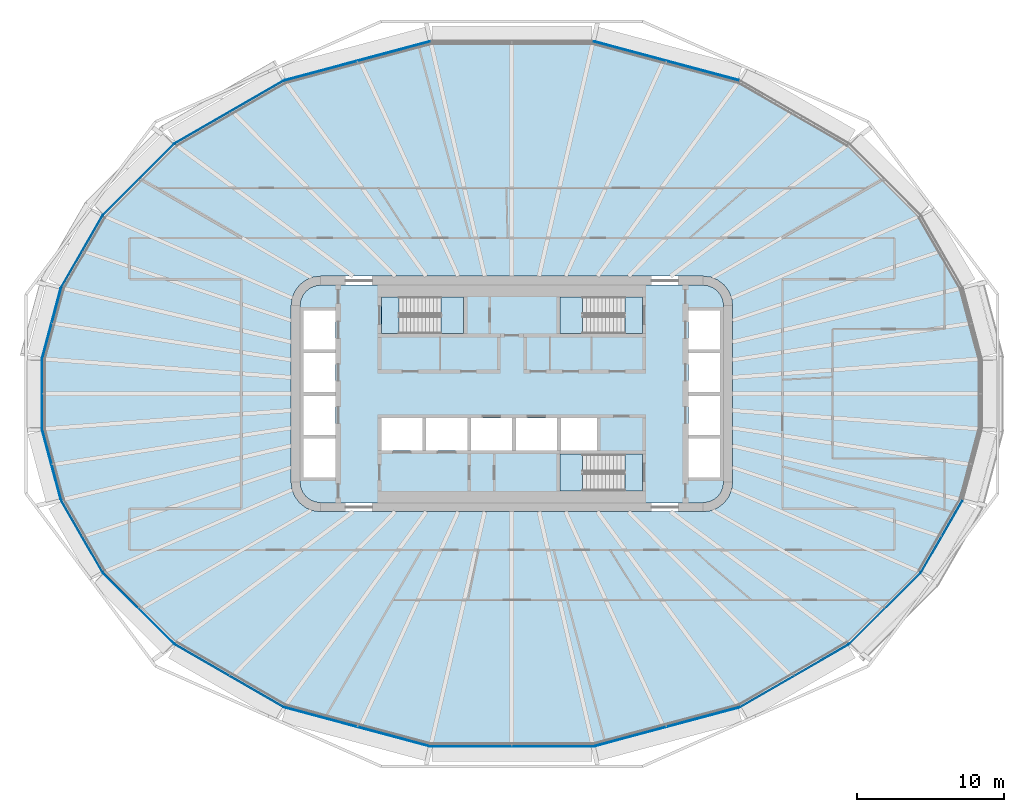
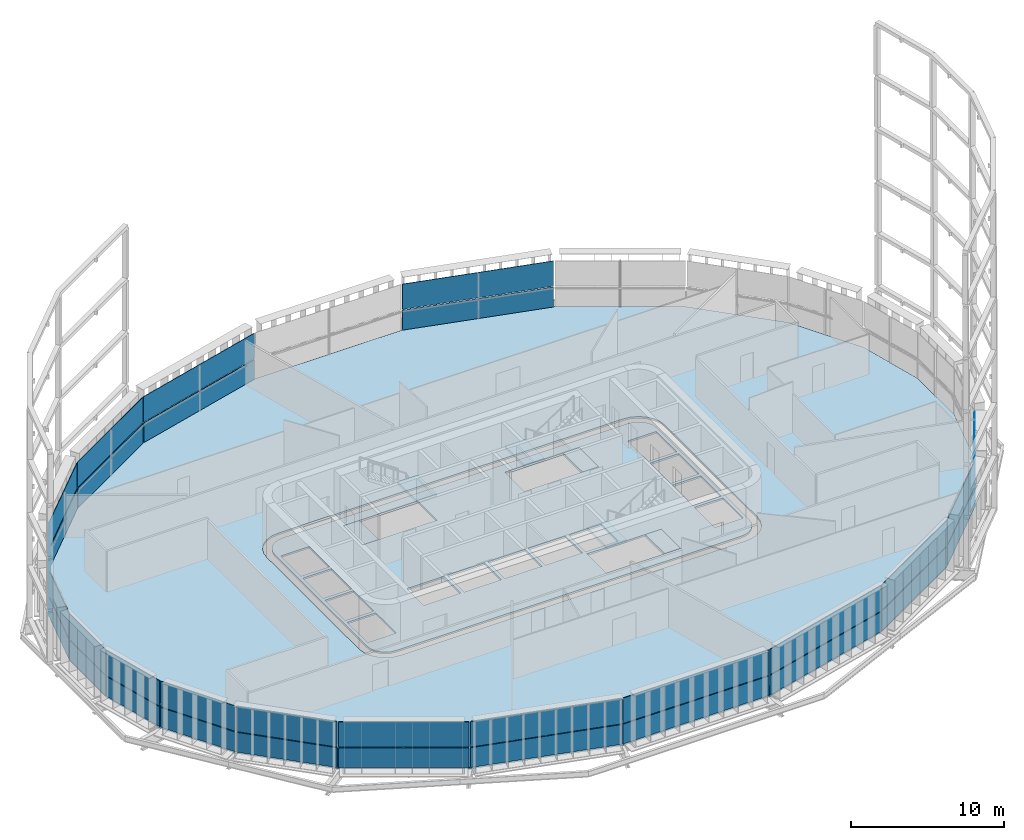
# One storey, part 13 of 26: 34 plates, 8 slabs, 20 elements without a shape of their own.
"""IFC4 building model written with IfcOpenShell, lengths in metres."""

from ifc_helpers import new_model, si_unit, direction, frame, origin, place, context, subcontext, project, spatial, polyline, outline, extrude, material, layer, layer_set, type_object, element, aggregate, save


model = new_model("IFC4")

# Units and contexts
model_context = context("Model", 3, precision=1e-05, world=origin(), true_north=direction((0.0, 1.0)))
body_context = subcontext(model_context, "Body", "Model", "MODEL_VIEW")
ifc_project = project(units=[si_unit("LENGTHUNIT", "METRE"), si_unit("AREAUNIT", "SQUARE_METRE"), si_unit("VOLUMEUNIT", "CUBIC_METRE"), si_unit("PLANEANGLEUNIT", "RADIAN"), si_unit("MASSUNIT", "GRAM", prefix="KILO")], contexts=[model_context])

# Site, building, storey
site_placement = place(None, origin())
site = spatial("IfcSite", under=ifc_project, at=site_placement, CompositionType="ELEMENT")
building_placement = place(site_placement, origin())
building = spatial("IfcBuilding", under=site, at=building_placement, Name="Sahrelin Media Tower", CompositionType="ELEMENT")
storey_placement = place(building_placement, frame((0.0, 0.0, 102.0)))
storey = spatial("IfcBuildingStorey", under=building, at=storey_placement, Name="L19", CompositionType="ELEMENT", Elevation=102.0)

# Slabs
ifc_material_1 = material(Name="Concrete C40/50", Category="concrete")
ifc_layer_1 = layer(ifc_material_1, 0.14990234375)
ifc_layer_set_1 = layer_set([ifc_layer_1], Name="Composite floor slab 150")
slab_type_1 = type_object("IfcSlabType", Name="Composite floor slab 150", PredefinedType="FLOOR", material=ifc_layer_set_1)
placement_1 = place(storey_placement, frame((0.0, 0.0, -0.14990234375)))
element("IfcSlab", 1, at=placement_1, inside=storey, type_object=slab_type_1, Name="Floor slab L19", PredefinedType="FLOOR", context=body_context, shape_type="SweptSolid", body=[
    extrude(outline(polyline([(31.92431640625, -2.384521484375), (31.92431640625, 2.384521484375), (30.63330078125, 7.20263671875), (27.79541015625, 12.117919921875), (22.919189453125, 16.994384765625), (15.475830078125, 21.291748046875), (5.5283203125, 23.95703125), (-5.5283203125, 23.95703125), (-15.475830078125, 21.291748046875), (-22.919189453125, 16.994384765625), (-27.79541015625, 12.117919921875), (-30.63330078125, 7.20263671875), (-31.92431640625, 2.384521484375), (-31.92431640625, -2.384521484375), (-30.63330078125, -7.20263671875), (-27.79541015625, -12.117919921875), (-22.919189453125, -16.994384765625), (-15.475830078125, -21.291748046875), (-5.5283203125, -23.95703125), (5.5283203125, -23.95703125), (15.475830078125, -21.291748046875), (22.919189453125, -16.994384765625), (27.79541015625, -12.117919921875), (30.63330078125, -7.20263671875), (31.92431640625, -2.384521484375)]), holes=[polyline([(14.931884765625, 6.517578125), (15.0, 6.0), (15.0, -6.0), (14.931884765625, -6.517578125), (14.732177734375, -7.0), (14.414306640625, -7.414306640625), (14.0, -7.732177734375), (13.517578125, -7.931884765625), (13.0, -8.0), (-13.0, -8.0), (-13.517578125, -7.931884765625), (-14.0, -7.732177734375), (-14.414306640625, -7.414306640625), (-14.732177734375, -7.0), (-14.931884765625, -6.517578125), (-15.0, -6.0), (-15.0, 6.0), (-14.931884765625, 6.517578125), (-14.732177734375, 7.0), (-14.414306640625, 7.414306640625), (-14.0, 7.732177734375), (-13.517578125, 7.931884765625), (-13.0, 8.0), (13.0, 8.0), (13.517578125, 7.931884765625), (14.0, 7.732177734375), (14.414306640625, 7.414306640625), (14.732177734375, 7.0), (14.931884765625, 6.517578125)])]), origin(), (0.0, 0.0, 1.0), 0.14990234375),
])
ifc_layer_2 = layer(ifc_material_1, 0.14990234375)
ifc_layer_set_2 = layer_set([ifc_layer_2], Name="Core floor slab 150")
slab_type_2 = type_object("IfcSlabType", Name="Core floor slab 150", PredefinedType="FLOOR", material=ifc_layer_set_2)
element("IfcSlab", 2, at=placement_1, inside=storey, type_object=slab_type_2, Name="Core floor", PredefinedType="FLOOR", context=body_context, shape_type="SweptSolid", body=[
    extrude(outline(polyline([(-14.347412109375, 6.361083984375), (-14.39990234375, 5.960693359375), (-14.39990234375, -5.960693359375), (-14.347412109375, -6.361083984375), (-14.2080078125, -6.697509765625), (-13.986328125, -6.986328125), (-13.697509765625, -7.2080078125), (-13.361083984375, -7.347412109375), (-12.960693359375, -7.39990234375), (12.960693359375, -7.39990234375), (13.361083984375, -7.347412109375), (13.697509765625, -7.2080078125), (13.986328125, -6.986328125), (14.2080078125, -6.697509765625), (14.347412109375, -6.361083984375), (14.39990234375, -5.960693359375), (14.39990234375, 5.960693359375), (14.347412109375, 6.361083984375), (14.2080078125, 6.697509765625), (13.986328125, 6.986328125), (13.697509765625, 7.2080078125), (13.361083984375, 7.347412109375), (12.960693359375, 7.39990234375), (-12.960693359375, 7.39990234375), (-13.361083984375, 7.347412109375), (-13.697509765625, 7.2080078125), (-13.986328125, 6.986328125), (-14.2080078125, 6.697509765625), (-14.347412109375, 6.361083984375)]), holes=[polyline([(-12.0, 3.02490234375), (-12.0, 5.675048828125), (-14.14990234375, 5.675048828125), (-14.14990234375, 3.02490234375), (-12.0, 3.02490234375)]), polyline([(-14.14990234375, 0.125), (-12.0, 0.125), (-12.0, 2.77490234375), (-14.14990234375, 2.77490234375), (-14.14990234375, 0.125)]), polyline([(-14.14990234375, -0.125), (-14.14990234375, -2.77490234375), (-12.0, -2.77490234375), (-12.0, -0.125), (-14.14990234375, -0.125)]), polyline([(-12.0, -3.02490234375), (-14.14990234375, -3.02490234375), (-14.14990234375, -5.675048828125), (-12.0, -5.675048828125), (-12.0, -3.02490234375)]), polyline([(14.14990234375, 3.02490234375), (14.14990234375, 5.675048828125), (12.0, 5.675048828125), (12.0, 3.02490234375), (14.14990234375, 3.02490234375)]), polyline([(12.0, 0.125), (14.14990234375, 0.125), (14.14990234375, 2.77490234375), (12.0, 2.77490234375), (12.0, 0.125)]), polyline([(12.0, -0.125), (12.0, -2.77490234375), (14.14990234375, -2.77490234375), (14.14990234375, -0.125), (12.0, -0.125)]), polyline([(14.14990234375, -3.02490234375), (12.0, -3.02490234375), (12.0, -5.675048828125), (14.14990234375, -5.675048828125), (14.14990234375, -3.02490234375)]), polyline([(-6.074951171875, -3.85009765625), (-6.074951171875, -1.64990234375), (-8.875, -1.64990234375), (-8.875, -3.85009765625), (-6.074951171875, -3.85009765625)]), polyline([(-5.824951171875, -3.85009765625), (-3.02490234375, -3.85009765625), (-3.02490234375, -1.64990234375), (-5.824951171875, -1.64990234375), (-5.824951171875, -3.85009765625)]), polyline([(-2.77490234375, -1.64990234375), (-2.77490234375, -3.85009765625), (0.02490234375, -3.85009765625), (0.02490234375, -1.64990234375), (-2.77490234375, -1.64990234375)]), polyline([(3.074951171875, -1.64990234375), (0.27490234375, -1.64990234375), (0.27490234375, -3.85009765625), (3.074951171875, -3.85009765625), (3.074951171875, -1.64990234375)]), polyline([(5.77490234375, -3.85009765625), (5.77490234375, -1.64990234375), (3.324951171875, -1.64990234375), (3.324951171875, -3.85009765625), (5.77490234375, -3.85009765625)]), polyline([(-8.875, 6.60009765625), (-8.875, 4.10009765625), (-3.27490234375, 4.10009765625), (-3.27490234375, 6.60009765625), (-8.875, 6.60009765625)]), polyline([(3.27490234375, 4.10009765625), (8.875, 4.10009765625), (8.875, 6.60009765625), (3.27490234375, 6.60009765625), (3.27490234375, 4.10009765625)]), polyline([(3.27490234375, -4.10009765625), (3.27490234375, -6.60009765625), (8.875, -6.60009765625), (8.875, -4.10009765625), (3.27490234375, -4.10009765625)])]), origin(), (0.0, 0.0, 1.0), 0.14990234375),
])

# Curtain wall, plate
ifc_material_2 = material(Name="Champagne anodised aluminium 6063-T6", Category="aluminium")
ifc_layer_3 = layer(ifc_material_2, 0.14990234375)
ifc_layer_set_3 = layer_set([ifc_layer_3], Name="Tower ribbon curtain wall")
curtain_wall_type = type_object("IfcCurtainWallType", Name="Tower ribbon curtain wall", PredefinedType="NOTDEFINED", material=ifc_layer_set_3)
curtain_wall_1_placement = place(storey_placement, frame((10.507080078125, 22.643798828125, 0.0), z_axis=(0.0, 0.0, 1.0), x_axis=(1.0, 0.0, 0.0)))
curtain_wall_1 = element("IfcCurtainWall", 3, at=curtain_wall_1_placement, inside=storey, type_object=curtain_wall_type, Name="L19:CW:L19-05", PredefinedType="NOTDEFINED")
ifc_material_3 = material(Name="Clear low-iron glazing", Category="glass")
ifc_layer_4 = layer(ifc_material_3, 0.0400390625)
ifc_layer_set_4 = layer_set([ifc_layer_4], Name="Glazing panel 40 mm CW1")
plate_type_1 = type_object("IfcPlateType", Name="Glazing panel 40 mm CW1", PredefinedType="CURTAIN_PANEL", material=ifc_layer_set_4)
plate_1_placement = place(storey_placement, frame((15.4404296875, 21.342529296875, 1.6298828125), z_axis=(0.258816614048, 0.965926477685, 0.0), x_axis=(-0.965926477685, 0.258816614048, 0.0)))
plate_1 = element("IfcPlate", 4, at=plate_1_placement, type_object=plate_type_1, Name="L19:CWP2:L19-05", PredefinedType="CURTAIN_PANEL", context=body_context, shape_type="SweptSolid", body=[
    extrude(outline(polyline([(0.0, 0.0), (10.20361328125, 0.0), (10.20361328125, 2.018798828125), (0.0, 2.018798828125), (0.0, 0.0)])), origin(), (0.0, 0.0, -1.0), 0.0400390625),
])

curtain_wall_2_placement = place(storey_placement, frame((-10.50732421875, 22.643798828125, 0.0), z_axis=(0.0, 0.0, 1.0), x_axis=(1.0, 0.0, 0.0)))
curtain_wall_2 = element("IfcCurtainWall", 5, at=curtain_wall_2_placement, inside=storey, type_object=curtain_wall_type, Name="L19:CW:L19-07", PredefinedType="NOTDEFINED")
plate_2_placement = place(storey_placement, frame((-5.58447265625, 23.9833984375, 1.6298828125), z_axis=(-0.258816614048, 0.965926477685, 0.0), x_axis=(-0.965926477685, -0.258816614048, 0.0)))
plate_2 = element("IfcPlate", 6, at=plate_2_placement, type_object=plate_type_1, Name="L19:CWP2:L19-07", PredefinedType="CURTAIN_PANEL", context=body_context, shape_type="SweptSolid", body=[
    extrude(outline(polyline([(0.0, 0.0), (10.20361328125, 0.0), (10.20361328125, 2.018798828125), (0.0, 2.018798828125), (0.0, 0.0)])), origin(), (0.0, 0.0, -1.0), 0.0400390625),
])

curtain_wall_3_placement = place(storey_placement, frame((-19.20751953125, 19.160400390625, 0.0), z_axis=(0.0, 0.0, 1.0), x_axis=(1.0, 0.0, 0.0)))
curtain_wall_3 = element("IfcCurtainWall", 7, at=curtain_wall_3_placement, inside=storey, type_object=curtain_wall_type, Name="L19:CW:L19-08", PredefinedType="NOTDEFINED")
plate_3_placement = place(storey_placement, frame((-15.536865234375, 21.302490234375, 1.6298828125), z_axis=(-0.499994284652, 0.866028703517, 0.0), x_axis=(-0.866028703517, -0.499994284652, 0.0)))
plate_3 = element("IfcPlate", 8, at=plate_3_placement, type_object=plate_type_1, Name="L19:CWP2:L19-08", PredefinedType="CURTAIN_PANEL", context=body_context, shape_type="SweptSolid", body=[
    extrude(outline(polyline([(0.0, 0.0), (8.5, 0.0), (8.5, 2.018798828125), (0.0, 2.018798828125), (0.0, 0.0)])), origin(), (0.0, 0.0, -1.0), 0.0400390625),
])

curtain_wall_4_placement = place(storey_placement, frame((-25.371337890625, 14.5703125, 0.0), z_axis=(0.0, 0.0, 1.0), x_axis=(1.0, 0.0, 0.0)))
curtain_wall_4 = element("IfcCurtainWall", 9, at=curtain_wall_4_placement, inside=storey, type_object=curtain_wall_type, Name="L19:CW:L19-09", PredefinedType="NOTDEFINED")
plate_4_placement = place(storey_placement, frame((-22.98095703125, 16.989013671875, 1.6298828125), z_axis=(-0.707106781187, 0.707106781187, 0.0), x_axis=(-0.707106781187, -0.707106781187, 0.0)))
plate_4 = element("IfcPlate", 10, at=plate_4_placement, type_object=plate_type_1, Name="L19:CWP2:L19-09", PredefinedType="CURTAIN_PANEL", context=body_context, shape_type="SweptSolid", body=[
    extrude(outline(polyline([(0.0, 0.0), (6.801513671875, 0.0), (6.801513671875, 2.018798828125), (0.0, 2.018798828125), (0.0, 0.0)])), origin(), (0.0, 0.0, -1.0), 0.0400390625),
])

curtain_wall_5_placement = place(storey_placement, frame((-29.231689453125, 9.67041015625, 0.0), z_axis=(0.0, 0.0, 1.0), x_axis=(1.0, 0.0, 0.0)))
curtain_wall_5 = element("IfcCurtainWall", 11, at=curtain_wall_5_placement, inside=storey, type_object=curtain_wall_type, Name="L19:CW:L19-10", PredefinedType="NOTDEFINED")
plate_5_placement = place(storey_placement, frame((-27.853759765625, 12.096923828125, 1.6298828125), z_axis=(-0.866021677438, 0.500006454166, 0.0), x_axis=(-0.500006454166, -0.866021677438, 0.0)))
plate_5 = element("IfcPlate", 12, at=plate_5_placement, type_object=plate_type_1, Name="L19:CWP2:L19-10", PredefinedType="CURTAIN_PANEL", context=body_context, shape_type="SweptSolid", body=[
    extrude(outline(polyline([(0.0, 0.0), (5.5810546875, 0.0), (5.5810546875, 2.018798828125), (0.0, 2.018798828125), (0.0, 0.0)])), origin(), (0.0, 0.0, -1.0), 0.0400390625),
])

curtain_wall_6_placement = place(storey_placement, frame((-31.298095703125, 4.798828125, 0.0), z_axis=(0.0, 0.0, 1.0), x_axis=(1.0, 0.0, 0.0)))
curtain_wall_6 = element("IfcCurtainWall", 13, at=curtain_wall_6_placement, inside=storey, type_object=curtain_wall_type, Name="L19:CW:L19-11", PredefinedType="NOTDEFINED")
plate_6_placement = place(storey_placement, frame((-30.684326171875, 7.167236328125, 1.6298828125), z_axis=(-0.965932017326, 0.258795938733, 0.0), x_axis=(-0.258795938733, -0.965932017326, 0.0)))
plate_6 = element("IfcPlate", 14, at=plate_6_placement, type_object=plate_type_1, Name="L19:CWP2:L19-11", PredefinedType="CURTAIN_PANEL", context=body_context, shape_type="SweptSolid", body=[
    extrude(outline(polyline([(0.0, 0.0), (4.893310546875, 0.0), (4.893310546875, 2.018798828125), (0.0, 2.018798828125), (0.0, 0.0)])), origin(), (0.0, 0.0, -1.0), 0.0400390625),
])

curtain_wall_7_placement = place(storey_placement, frame((-31.9443359375, 0.0, 0.0), z_axis=(0.0, 0.0, 1.0), x_axis=(1.0, 0.0, 0.0)))
curtain_wall_7 = element("IfcCurtainWall", 15, at=curtain_wall_7_placement, inside=storey, type_object=curtain_wall_type, Name="L19:CW:L19-12", PredefinedType="NOTDEFINED")
plate_7_placement = place(storey_placement, frame((-31.96435546875, 2.337158203125, 1.6298828125), z_axis=(-1.0, 0.0, 0.0), x_axis=(0.0, -1.0, 0.0)))
plate_7 = element("IfcPlate", 16, at=plate_7_placement, type_object=plate_type_1, Name="L19:CWP2:L19-12", PredefinedType="CURTAIN_PANEL", context=body_context, shape_type="SweptSolid", body=[
    extrude(outline(polyline([(0.0, 0.0), (4.67431640625, 0.0), (4.67431640625, 2.018798828125), (0.0, 2.018798828125), (0.0, 0.0)])), origin(), (0.0, 0.0, -1.0), 0.0400390625),
])

curtain_wall_8_placement = place(storey_placement, frame((-31.298095703125, -4.798828125, 0.0), z_axis=(0.0, 0.0, 1.0), x_axis=(1.0, 0.0, 0.0)))
curtain_wall_8 = element("IfcCurtainWall", 17, at=curtain_wall_8_placement, inside=storey, type_object=curtain_wall_type, Name="L19:CW:L19-13", PredefinedType="NOTDEFINED")
plate_8_placement = place(storey_placement, frame((-31.95068359375, -2.440673828125, 1.6298828125), z_axis=(-0.965932017326, -0.258795938733, 0.0), x_axis=(0.258795938733, -0.965932017326, 0.0)))
plate_8 = element("IfcPlate", 18, at=plate_8_placement, type_object=plate_type_1, Name="L19:CWP2:L19-13", PredefinedType="CURTAIN_PANEL", context=body_context, shape_type="SweptSolid", body=[
    extrude(outline(polyline([(0.0, 0.0), (4.893310546875, 0.0), (4.893310546875, 2.018798828125), (0.0, 2.018798828125), (0.0, 0.0)])), origin(), (0.0, 0.0, -1.0), 0.0400390625),
])

curtain_wall_9_placement = place(storey_placement, frame((-29.231689453125, -9.67041015625, 0.0), z_axis=(0.0, 0.0, 1.0), x_axis=(1.0, 0.0, 0.0)))
curtain_wall_9 = element("IfcCurtainWall", 19, at=curtain_wall_9_placement, inside=storey, type_object=curtain_wall_type, Name="L19:CW:L19-14", PredefinedType="NOTDEFINED")
plate_9_placement = place(storey_placement, frame((-30.644287109375, -7.263671875, 1.6298828125), z_axis=(-0.866021677438, -0.500006454166, 0.0), x_axis=(0.500006454166, -0.866021677438, 0.0)))
plate_9 = element("IfcPlate", 20, at=plate_9_placement, type_object=plate_type_1, Name="L19:CWP2:L19-14", PredefinedType="CURTAIN_PANEL", context=body_context, shape_type="SweptSolid", body=[
    extrude(outline(polyline([(0.0, 0.0), (5.5810546875, 0.0), (5.5810546875, 2.018798828125), (0.0, 2.018798828125), (0.0, 0.0)])), origin(), (0.0, 0.0, -1.0), 0.0400390625),
])

curtain_wall_10_placement = place(storey_placement, frame((-25.371337890625, -14.5703125, 0.0), z_axis=(0.0, 0.0, 1.0), x_axis=(1.0, 0.0, 0.0)))
curtain_wall_10 = element("IfcCurtainWall", 21, at=curtain_wall_10_placement, inside=storey, type_object=curtain_wall_type, Name="L19:CW:L19-15", PredefinedType="NOTDEFINED")
plate_10_placement = place(storey_placement, frame((-27.790283203125, -12.1796875, 1.6298828125), z_axis=(-0.707106781187, -0.707106781187, 0.0), x_axis=(0.707106781187, -0.707106781187, 0.0)))
plate_10 = element("IfcPlate", 22, at=plate_10_placement, type_object=plate_type_1, Name="L19:CWP2:L19-15", PredefinedType="CURTAIN_PANEL", context=body_context, shape_type="SweptSolid", body=[
    extrude(outline(polyline([(0.0, 0.0), (6.801513671875, 0.0), (6.801513671875, 2.018798828125), (0.0, 2.018798828125), (0.0, 0.0)])), origin(), (0.0, 0.0, -1.0), 0.0400390625),
])

curtain_wall_11_placement = place(storey_placement, frame((-19.20751953125, -19.160400390625, 0.0), z_axis=(0.0, 0.0, 1.0), x_axis=(1.0, 0.0, 0.0)))
curtain_wall_11 = element("IfcCurtainWall", 23, at=curtain_wall_11_placement, inside=storey, type_object=curtain_wall_type, Name="L19:CW:L19-16", PredefinedType="NOTDEFINED")
plate_11_placement = place(storey_placement, frame((-22.898193359375, -17.052490234375, 1.6298828125), z_axis=(-0.499994284652, -0.866028703517, 0.0), x_axis=(0.866028703517, -0.499994284652, 0.0)))
plate_11 = element("IfcPlate", 24, at=plate_11_placement, type_object=plate_type_1, Name="L19:CWP2:L19-16", PredefinedType="CURTAIN_PANEL", context=body_context, shape_type="SweptSolid", body=[
    extrude(outline(polyline([(0.0, 0.0), (8.5, 0.0), (8.5, 2.018798828125), (0.0, 2.018798828125), (0.0, 0.0)])), origin(), (0.0, 0.0, -1.0), 0.0400390625),
])

curtain_wall_12_placement = place(storey_placement, frame((-10.507080078125, -22.643798828125, 0.0), z_axis=(0.0, 0.0, 1.0), x_axis=(1.0, 0.0, 0.0)))
curtain_wall_12 = element("IfcCurtainWall", 25, at=curtain_wall_12_placement, inside=storey, type_object=curtain_wall_type, Name="L19:CW:L19-17", PredefinedType="NOTDEFINED")
plate_12_placement = place(storey_placement, frame((-15.4404296875, -21.342529296875, 1.6298828125), z_axis=(-0.258816614048, -0.965926477685, 0.0), x_axis=(0.965926477685, -0.258816614048, 0.0)))
plate_12 = element("IfcPlate", 26, at=plate_12_placement, type_object=plate_type_1, Name="L19:CWP2:L19-17", PredefinedType="CURTAIN_PANEL", context=body_context, shape_type="SweptSolid", body=[
    extrude(outline(polyline([(0.0, 0.0), (10.20361328125, 0.0), (10.20361328125, 2.018798828125), (0.0, 2.018798828125), (0.0, 0.0)])), origin(), (0.0, 0.0, -1.0), 0.0400390625),
])

curtain_wall_13_placement = place(storey_placement, frame((0.0, -23.97705078125, 0.0), z_axis=(0.0, 0.0, 1.0), x_axis=(1.0, 0.0, 0.0)))
curtain_wall_13 = element("IfcCurtainWall", 27, at=curtain_wall_13_placement, inside=storey, type_object=curtain_wall_type, Name="L19:CW:L19-18", PredefinedType="NOTDEFINED")
plate_13_placement = place(storey_placement, frame((-5.48095703125, -23.9970703125, 1.6298828125), z_axis=(0.0, -1.0, 0.0), x_axis=(1.0, 0.0, 0.0)))
plate_13 = element("IfcPlate", 28, at=plate_13_placement, type_object=plate_type_1, Name="L19:CWP2:L19-18", PredefinedType="CURTAIN_PANEL", context=body_context, shape_type="SweptSolid", body=[
    extrude(outline(polyline([(0.0, 0.0), (10.9619140625, 0.0), (10.9619140625, 2.018798828125), (0.0, 2.018798828125), (0.0, 0.0)])), origin(), (0.0, 0.0, -1.0), 0.0400390625),
])

curtain_wall_14_placement = place(storey_placement, frame((10.50732421875, -22.643798828125, 0.0), z_axis=(0.0, 0.0, 1.0), x_axis=(1.0, 0.0, 0.0)))
curtain_wall_14 = element("IfcCurtainWall", 29, at=curtain_wall_14_placement, inside=storey, type_object=curtain_wall_type, Name="L19:CW:L19-19", PredefinedType="NOTDEFINED")
plate_14_placement = place(storey_placement, frame((5.58447265625, -23.9833984375, 1.6298828125), z_axis=(0.258816614048, -0.965926477685, 0.0), x_axis=(0.965926477685, 0.258816614048, 0.0)))
plate_14 = element("IfcPlate", 30, at=plate_14_placement, type_object=plate_type_1, Name="L19:CWP2:L19-19", PredefinedType="CURTAIN_PANEL", context=body_context, shape_type="SweptSolid", body=[
    extrude(outline(polyline([(0.0, 0.0), (10.20361328125, 0.0), (10.20361328125, 2.018798828125), (0.0, 2.018798828125), (0.0, 0.0)])), origin(), (0.0, 0.0, -1.0), 0.0400390625),
])

curtain_wall_15_placement = place(storey_placement, frame((19.20751953125, -19.160400390625, 0.0), z_axis=(0.0, 0.0, 1.0), x_axis=(1.0, 0.0, 0.0)))
curtain_wall_15 = element("IfcCurtainWall", 31, at=curtain_wall_15_placement, inside=storey, type_object=curtain_wall_type, Name="L19:CW:L19-20", PredefinedType="NOTDEFINED")
plate_15_placement = place(storey_placement, frame((15.536865234375, -21.302490234375, 1.6298828125), z_axis=(0.499994284652, -0.866028703517, 0.0), x_axis=(0.866028703517, 0.499994284652, 0.0)))
plate_15 = element("IfcPlate", 32, at=plate_15_placement, type_object=plate_type_1, Name="L19:CWP2:L19-20", PredefinedType="CURTAIN_PANEL", context=body_context, shape_type="SweptSolid", body=[
    extrude(outline(polyline([(0.0, 0.0), (8.5, 0.0), (8.5, 2.018798828125), (0.0, 2.018798828125), (0.0, 0.0)])), origin(), (0.0, 0.0, -1.0), 0.0400390625),
])

curtain_wall_16_placement = place(storey_placement, frame((25.371337890625, -14.5703125, 0.0), z_axis=(0.0, 0.0, 1.0), x_axis=(1.0, 0.0, 0.0)))
curtain_wall_16 = element("IfcCurtainWall", 33, at=curtain_wall_16_placement, inside=storey, type_object=curtain_wall_type, Name="L19:CW:L19-21", PredefinedType="NOTDEFINED")
plate_16_placement = place(storey_placement, frame((22.98095703125, -16.989013671875, 1.6298828125), z_axis=(0.707106781187, -0.707106781187, 0.0), x_axis=(0.707106781187, 0.707106781187, 0.0)))
plate_16 = element("IfcPlate", 34, at=plate_16_placement, type_object=plate_type_1, Name="L19:CWP2:L19-21", PredefinedType="CURTAIN_PANEL", context=body_context, shape_type="SweptSolid", body=[
    extrude(outline(polyline([(0.0, 0.0), (6.801513671875, 0.0), (6.801513671875, 2.018798828125), (0.0, 2.018798828125), (0.0, 0.0)])), origin(), (0.0, 0.0, -1.0), 0.0400390625),
])

curtain_wall_17_placement = place(storey_placement, frame((29.231689453125, -9.67041015625, 0.0), z_axis=(0.0, 0.0, 1.0), x_axis=(1.0, 0.0, 0.0)))
curtain_wall_17 = element("IfcCurtainWall", 35, at=curtain_wall_17_placement, inside=storey, type_object=curtain_wall_type, Name="L19:CW:L19-22", PredefinedType="NOTDEFINED")
plate_17_placement = place(storey_placement, frame((27.853759765625, -12.096923828125, 1.6298828125), z_axis=(0.866021677438, -0.500006454166, 0.0), x_axis=(0.500006454166, 0.866021677438, 0.0)))
plate_17 = element("IfcPlate", 36, at=plate_17_placement, type_object=plate_type_1, Name="L19:CWP2:L19-22", PredefinedType="CURTAIN_PANEL", context=body_context, shape_type="SweptSolid", body=[
    extrude(outline(polyline([(0.0, 0.0), (5.5810546875, 0.0), (5.5810546875, 2.018798828125), (0.0, 2.018798828125), (0.0, 0.0)])), origin(), (0.0, 0.0, -1.0), 0.0400390625),
])

# Plate
ifc_material_4 = material(Name="Insulated spandrel panel")
ifc_layer_5 = layer(ifc_material_4, 0.06005859375)
ifc_layer_set_5 = layer_set([ifc_layer_5], Name="Spandrel panel 60 mm CW1")
plate_type_2 = type_object("IfcPlateType", Name="Spandrel panel 60 mm CW1", PredefinedType="SHEET", material=ifc_layer_set_5)
plate_18_placement = place(storey_placement, frame((15.4404296875, 21.342529296875, 0.0), z_axis=(0.258816614048, 0.965926477685, 0.0), x_axis=(-0.965926477685, 0.258816614048, 0.0)))
plate_18 = element("IfcPlate", 37, at=plate_18_placement, type_object=plate_type_2, Name="L19:CWP1:L19-05", PredefinedType="SHEET", context=body_context, shape_type="SweptSolid", body=[
    extrude(outline(polyline([(0.0, 0.0), (10.20361328125, 0.0), (10.20361328125, 1.570068359375), (0.0, 1.570068359375), (0.0, 0.0)])), origin(), (0.0, 0.0, -1.0), 0.06005859375),
])

aggregate(curtain_wall_1, [plate_18, plate_1])

plate_19_placement = place(storey_placement, frame((-5.58447265625, 23.9833984375, 0.0), z_axis=(-0.258816614048, 0.965926477685, 0.0), x_axis=(-0.965926477685, -0.258816614048, 0.0)))
plate_19 = element("IfcPlate", 38, at=plate_19_placement, type_object=plate_type_2, Name="L19:CWP1:L19-07", PredefinedType="SHEET", context=body_context, shape_type="SweptSolid", body=[
    extrude(outline(polyline([(0.0, 0.0), (10.20361328125, 0.0), (10.20361328125, 1.570068359375), (0.0, 1.570068359375), (0.0, 0.0)])), origin(), (0.0, 0.0, -1.0), 0.06005859375),
])

aggregate(curtain_wall_2, [plate_19, plate_2])

plate_20_placement = place(storey_placement, frame((-15.536865234375, 21.302490234375, 0.0), z_axis=(-0.499994284652, 0.866028703517, 0.0), x_axis=(-0.866028703517, -0.499994284652, 0.0)))
plate_20 = element("IfcPlate", 39, at=plate_20_placement, type_object=plate_type_2, Name="L19:CWP1:L19-08", PredefinedType="SHEET", context=body_context, shape_type="SweptSolid", body=[
    extrude(outline(polyline([(0.0, 0.0), (8.5, 0.0), (8.5, 1.570068359375), (0.0, 1.570068359375), (0.0, 0.0)])), origin(), (0.0, 0.0, -1.0), 0.06005859375),
])

aggregate(curtain_wall_3, [plate_20, plate_3])

plate_21_placement = place(storey_placement, frame((-22.98095703125, 16.989013671875, 0.0), z_axis=(-0.707106781187, 0.707106781187, 0.0), x_axis=(-0.707106781187, -0.707106781187, 0.0)))
plate_21 = element("IfcPlate", 40, at=plate_21_placement, type_object=plate_type_2, Name="L19:CWP1:L19-09", PredefinedType="SHEET", context=body_context, shape_type="SweptSolid", body=[
    extrude(outline(polyline([(0.0, 0.0), (6.801513671875, 0.0), (6.801513671875, 1.570068359375), (0.0, 1.570068359375), (0.0, 0.0)])), origin(), (0.0, 0.0, -1.0), 0.06005859375),
])

aggregate(curtain_wall_4, [plate_21, plate_4])

plate_22_placement = place(storey_placement, frame((-27.853759765625, 12.096923828125, 0.0), z_axis=(-0.866021677438, 0.500006454166, 0.0), x_axis=(-0.500006454166, -0.866021677438, 0.0)))
plate_22 = element("IfcPlate", 41, at=plate_22_placement, type_object=plate_type_2, Name="L19:CWP1:L19-10", PredefinedType="SHEET", context=body_context, shape_type="SweptSolid", body=[
    extrude(outline(polyline([(0.0, 0.0), (5.5810546875, 0.0), (5.5810546875, 1.570068359375), (0.0, 1.570068359375), (0.0, 0.0)])), origin(), (0.0, 0.0, -1.0), 0.06005859375),
])

aggregate(curtain_wall_5, [plate_22, plate_5])

plate_23_placement = place(storey_placement, frame((-30.684326171875, 7.167236328125, 0.0), z_axis=(-0.965932017326, 0.258795938733, 0.0), x_axis=(-0.258795938733, -0.965932017326, 0.0)))
plate_23 = element("IfcPlate", 42, at=plate_23_placement, type_object=plate_type_2, Name="L19:CWP1:L19-11", PredefinedType="SHEET", context=body_context, shape_type="SweptSolid", body=[
    extrude(outline(polyline([(0.0, 0.0), (4.893310546875, 0.0), (4.893310546875, 1.570068359375), (0.0, 1.570068359375), (0.0, 0.0)])), origin(), (0.0, 0.0, -1.0), 0.06005859375),
])

aggregate(curtain_wall_6, [plate_23, plate_6])

plate_24_placement = place(storey_placement, frame((-31.96435546875, 2.337158203125, 0.0), z_axis=(-1.0, 0.0, 0.0), x_axis=(0.0, -1.0, 0.0)))
plate_24 = element("IfcPlate", 43, at=plate_24_placement, type_object=plate_type_2, Name="L19:CWP1:L19-12", PredefinedType="SHEET", context=body_context, shape_type="SweptSolid", body=[
    extrude(outline(polyline([(0.0, 0.0), (4.67431640625, 0.0), (4.67431640625, 1.570068359375), (0.0, 1.570068359375), (0.0, 0.0)])), origin(), (0.0, 0.0, -1.0), 0.06005859375),
])

aggregate(curtain_wall_7, [plate_24, plate_7])

plate_25_placement = place(storey_placement, frame((-31.95068359375, -2.440673828125, 0.0), z_axis=(-0.965932017326, -0.258795938733, 0.0), x_axis=(0.258795938733, -0.965932017326, 0.0)))
plate_25 = element("IfcPlate", 44, at=plate_25_placement, type_object=plate_type_2, Name="L19:CWP1:L19-13", PredefinedType="SHEET", context=body_context, shape_type="SweptSolid", body=[
    extrude(outline(polyline([(0.0, 0.0), (4.893310546875, 0.0), (4.893310546875, 1.570068359375), (0.0, 1.570068359375), (0.0, 0.0)])), origin(), (0.0, 0.0, -1.0), 0.06005859375),
])

aggregate(curtain_wall_8, [plate_25, plate_8])

plate_26_placement = place(storey_placement, frame((-30.644287109375, -7.263671875, 0.0), z_axis=(-0.866021677438, -0.500006454166, 0.0), x_axis=(0.500006454166, -0.866021677438, 0.0)))
plate_26 = element("IfcPlate", 45, at=plate_26_placement, type_object=plate_type_2, Name="L19:CWP1:L19-14", PredefinedType="SHEET", context=body_context, shape_type="SweptSolid", body=[
    extrude(outline(polyline([(0.0, 0.0), (5.5810546875, 0.0), (5.5810546875, 1.570068359375), (0.0, 1.570068359375), (0.0, 0.0)])), origin(), (0.0, 0.0, -1.0), 0.06005859375),
])

aggregate(curtain_wall_9, [plate_26, plate_9])

plate_27_placement = place(storey_placement, frame((-27.790283203125, -12.1796875, 0.0), z_axis=(-0.707106781187, -0.707106781187, 0.0), x_axis=(0.707106781187, -0.707106781187, 0.0)))
plate_27 = element("IfcPlate", 46, at=plate_27_placement, type_object=plate_type_2, Name="L19:CWP1:L19-15", PredefinedType="SHEET", context=body_context, shape_type="SweptSolid", body=[
    extrude(outline(polyline([(0.0, 0.0), (6.801513671875, 0.0), (6.801513671875, 1.570068359375), (0.0, 1.570068359375), (0.0, 0.0)])), origin(), (0.0, 0.0, -1.0), 0.06005859375),
])

aggregate(curtain_wall_10, [plate_27, plate_10])

plate_28_placement = place(storey_placement, frame((-22.898193359375, -17.052490234375, 0.0), z_axis=(-0.499994284652, -0.866028703517, 0.0), x_axis=(0.866028703517, -0.499994284652, 0.0)))
plate_28 = element("IfcPlate", 47, at=plate_28_placement, type_object=plate_type_2, Name="L19:CWP1:L19-16", PredefinedType="SHEET", context=body_context, shape_type="SweptSolid", body=[
    extrude(outline(polyline([(0.0, 0.0), (8.5, 0.0), (8.5, 1.570068359375), (0.0, 1.570068359375), (0.0, 0.0)])), origin(), (0.0, 0.0, -1.0), 0.06005859375),
])

aggregate(curtain_wall_11, [plate_28, plate_11])

plate_29_placement = place(storey_placement, frame((-15.4404296875, -21.342529296875, 0.0), z_axis=(-0.258816614048, -0.965926477685, 0.0), x_axis=(0.965926477685, -0.258816614048, 0.0)))
plate_29 = element("IfcPlate", 48, at=plate_29_placement, type_object=plate_type_2, Name="L19:CWP1:L19-17", PredefinedType="SHEET", context=body_context, shape_type="SweptSolid", body=[
    extrude(outline(polyline([(0.0, 0.0), (10.20361328125, 0.0), (10.20361328125, 1.570068359375), (0.0, 1.570068359375), (0.0, 0.0)])), origin(), (0.0, 0.0, -1.0), 0.06005859375),
])

aggregate(curtain_wall_12, [plate_29, plate_12])

plate_30_placement = place(storey_placement, frame((-5.48095703125, -23.9970703125, 0.0), z_axis=(0.0, -1.0, 0.0), x_axis=(1.0, 0.0, 0.0)))
plate_30 = element("IfcPlate", 49, at=plate_30_placement, type_object=plate_type_2, Name="L19:CWP1:L19-18", PredefinedType="SHEET", context=body_context, shape_type="SweptSolid", body=[
    extrude(outline(polyline([(0.0, 0.0), (10.9619140625, 0.0), (10.9619140625, 1.570068359375), (0.0, 1.570068359375), (0.0, 0.0)])), origin(), (0.0, 0.0, -1.0), 0.06005859375),
])

aggregate(curtain_wall_13, [plate_30, plate_13])

plate_31_placement = place(storey_placement, frame((5.58447265625, -23.9833984375, 0.0), z_axis=(0.258816614048, -0.965926477685, 0.0), x_axis=(0.965926477685, 0.258816614048, 0.0)))
plate_31 = element("IfcPlate", 50, at=plate_31_placement, type_object=plate_type_2, Name="L19:CWP1:L19-19", PredefinedType="SHEET", context=body_context, shape_type="SweptSolid", body=[
    extrude(outline(polyline([(0.0, 0.0), (10.20361328125, 0.0), (10.20361328125, 1.570068359375), (0.0, 1.570068359375), (0.0, 0.0)])), origin(), (0.0, 0.0, -1.0), 0.06005859375),
])

aggregate(curtain_wall_14, [plate_31, plate_14])

plate_32_placement = place(storey_placement, frame((15.536865234375, -21.302490234375, 0.0), z_axis=(0.499994284652, -0.866028703517, 0.0), x_axis=(0.866028703517, 0.499994284652, 0.0)))
plate_32 = element("IfcPlate", 51, at=plate_32_placement, type_object=plate_type_2, Name="L19:CWP1:L19-20", PredefinedType="SHEET", context=body_context, shape_type="SweptSolid", body=[
    extrude(outline(polyline([(0.0, 0.0), (8.5, 0.0), (8.5, 1.570068359375), (0.0, 1.570068359375), (0.0, 0.0)])), origin(), (0.0, 0.0, -1.0), 0.06005859375),
])

aggregate(curtain_wall_15, [plate_32, plate_15])

plate_33_placement = place(storey_placement, frame((22.98095703125, -16.989013671875, 0.0), z_axis=(0.707106781187, -0.707106781187, 0.0), x_axis=(0.707106781187, 0.707106781187, 0.0)))
plate_33 = element("IfcPlate", 52, at=plate_33_placement, type_object=plate_type_2, Name="L19:CWP1:L19-21", PredefinedType="SHEET", context=body_context, shape_type="SweptSolid", body=[
    extrude(outline(polyline([(0.0, 0.0), (6.801513671875, 0.0), (6.801513671875, 1.570068359375), (0.0, 1.570068359375), (0.0, 0.0)])), origin(), (0.0, 0.0, -1.0), 0.06005859375),
])

aggregate(curtain_wall_16, [plate_33, plate_16])

plate_34_placement = place(storey_placement, frame((27.853759765625, -12.096923828125, 0.0), z_axis=(0.866021677438, -0.500006454166, 0.0), x_axis=(0.500006454166, 0.866021677438, 0.0)))
plate_34 = element("IfcPlate", 53, at=plate_34_placement, type_object=plate_type_2, Name="L19:CWP1:L19-22", PredefinedType="SHEET", context=body_context, shape_type="SweptSolid", body=[
    extrude(outline(polyline([(0.0, 0.0), (5.5810546875, 0.0), (5.5810546875, 1.570068359375), (0.0, 1.570068359375), (0.0, 0.0)])), origin(), (0.0, 0.0, -1.0), 0.06005859375),
])

aggregate(curtain_wall_17, [plate_34, plate_17])

# Stair, slabs
stair_type = type_object("IfcStairType", Name="Exit stair 1200", PredefinedType="HALF_TURN_STAIR", material=ifc_material_1)
placement_2 = place(storey_placement, origin())
stair_1 = element("IfcStair", 54, at=placement_2, inside=storey, type_object=stair_type, Name="L19 Exit stair ST1", PredefinedType="HALF_TURN_STAIR")
ifc_layer_6 = layer(ifc_material_1, 0.199951171875)
ifc_layer_set_6 = layer_set([ifc_layer_6], Name="Stair landing 200")
slab_type_3 = type_object("IfcSlabType", Name="Stair landing 200", PredefinedType="LANDING", material=ifc_layer_set_6)
placement_3 = place(storey_placement, frame((0.0, 0.0, 1.89990234375)))
slab_3 = element("IfcSlab", 55, at=placement_3, type_object=slab_type_3, Name="ST1 landing 1", PredefinedType="LANDING", context=body_context, shape_type="SweptSolid", body=[
    extrude(outline(polyline([(-4.81494140625, 4.10009765625), (-3.27490234375, 4.10009765625), (-3.27490234375, 6.60009765625), (-4.81494140625, 6.60009765625), (-4.81494140625, 4.10009765625)])), origin(), (0.0, 0.0, 1.0), 0.2001953125),
])
placement_4 = place(storey_placement, frame((0.0, 0.0, -0.199951171875)))
slab_4 = element("IfcSlab", 56, at=placement_4, type_object=slab_type_3, Name="ST1 landing 2", PredefinedType="LANDING", context=body_context, shape_type="SweptSolid", body=[
    extrude(outline(polyline([(-8.875, 4.10009765625), (-7.675048828125, 4.10009765625), (-7.675048828125, 6.60009765625), (-8.875, 6.60009765625), (-8.875, 4.10009765625)])), origin(), (0.0, 0.0, 1.0), 0.199951171875),
])
aggregate(stair_1, [slab_3, slab_4])

stair_2 = element("IfcStair", 57, at=placement_2, inside=storey, type_object=stair_type, Name="L19 Exit stair ST3", PredefinedType="HALF_TURN_STAIR")
slab_5 = element("IfcSlab", 58, at=placement_3, type_object=slab_type_3, Name="ST3 landing 1", PredefinedType="LANDING", context=body_context, shape_type="SweptSolid", body=[
    extrude(outline(polyline([(4.81494140625, 6.60009765625), (3.27490234375, 6.60009765625), (3.27490234375, 4.10009765625), (4.81494140625, 4.10009765625), (4.81494140625, 6.60009765625)])), origin(), (0.0, 0.0, 1.0), 0.2001953125),
])
slab_6 = element("IfcSlab", 59, at=placement_4, type_object=slab_type_3, Name="ST3 landing 2", PredefinedType="LANDING", context=body_context, shape_type="SweptSolid", body=[
    extrude(outline(polyline([(8.875, 6.60009765625), (7.675048828125, 6.60009765625), (7.675048828125, 4.10009765625), (8.875, 4.10009765625), (8.875, 6.60009765625)])), origin(), (0.0, 0.0, 1.0), 0.199951171875),
])
aggregate(stair_2, [slab_5, slab_6])

stair_3 = element("IfcStair", 60, at=placement_2, inside=storey, type_object=stair_type, Name="L19 Exit stair ST2", PredefinedType="HALF_TURN_STAIR")
slab_7 = element("IfcSlab", 61, at=placement_3, type_object=slab_type_3, Name="ST2 landing 1", PredefinedType="LANDING", context=body_context, shape_type="SweptSolid", body=[
    extrude(outline(polyline([(4.81494140625, -4.10009765625), (3.27490234375, -4.10009765625), (3.27490234375, -6.60009765625), (4.81494140625, -6.60009765625), (4.81494140625, -4.10009765625)])), origin(), (0.0, 0.0, 1.0), 0.2001953125),
])
slab_8 = element("IfcSlab", 62, at=placement_4, type_object=slab_type_3, Name="ST2 landing 2", PredefinedType="LANDING", context=body_context, shape_type="SweptSolid", body=[
    extrude(outline(polyline([(8.875, -4.10009765625), (7.675048828125, -4.10009765625), (7.675048828125, -6.60009765625), (8.875, -6.60009765625), (8.875, -4.10009765625)])), origin(), (0.0, 0.0, 1.0), 0.199951171875),
])
aggregate(stair_3, [slab_7, slab_8])

save(model, "model.ifc")
